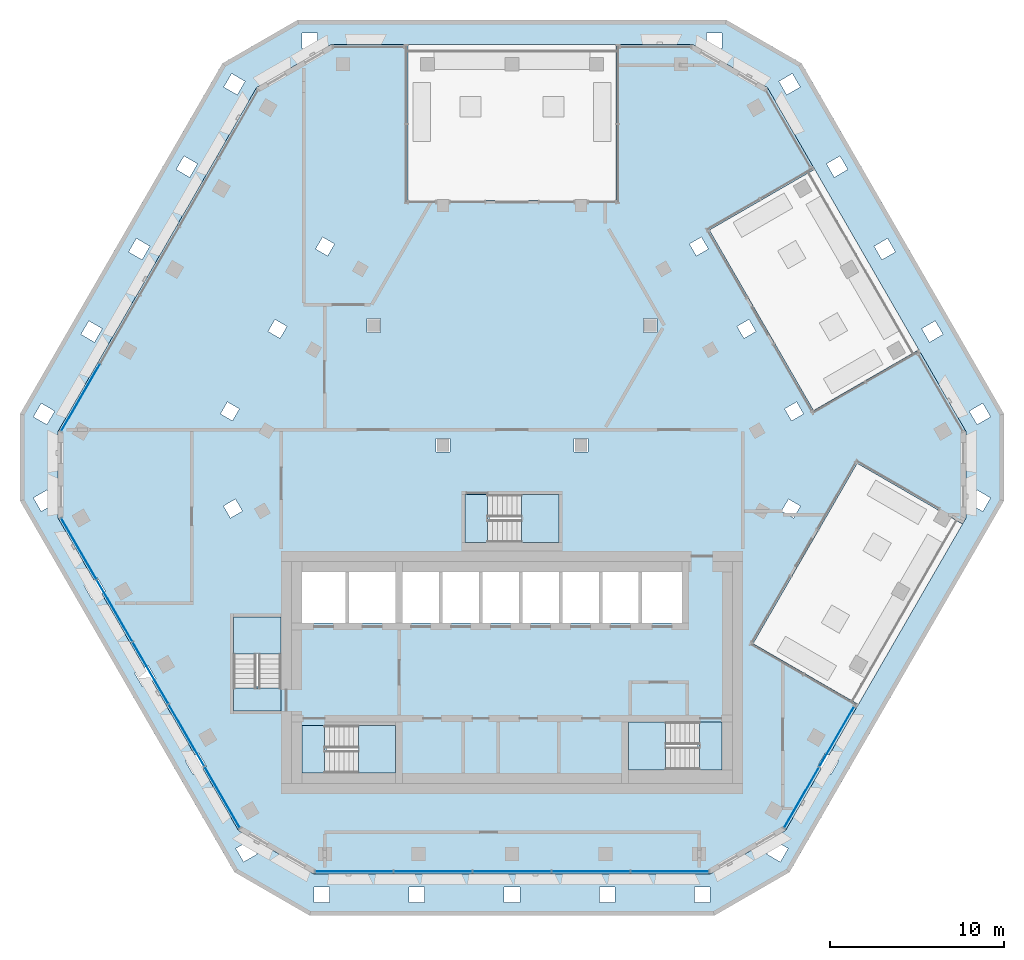
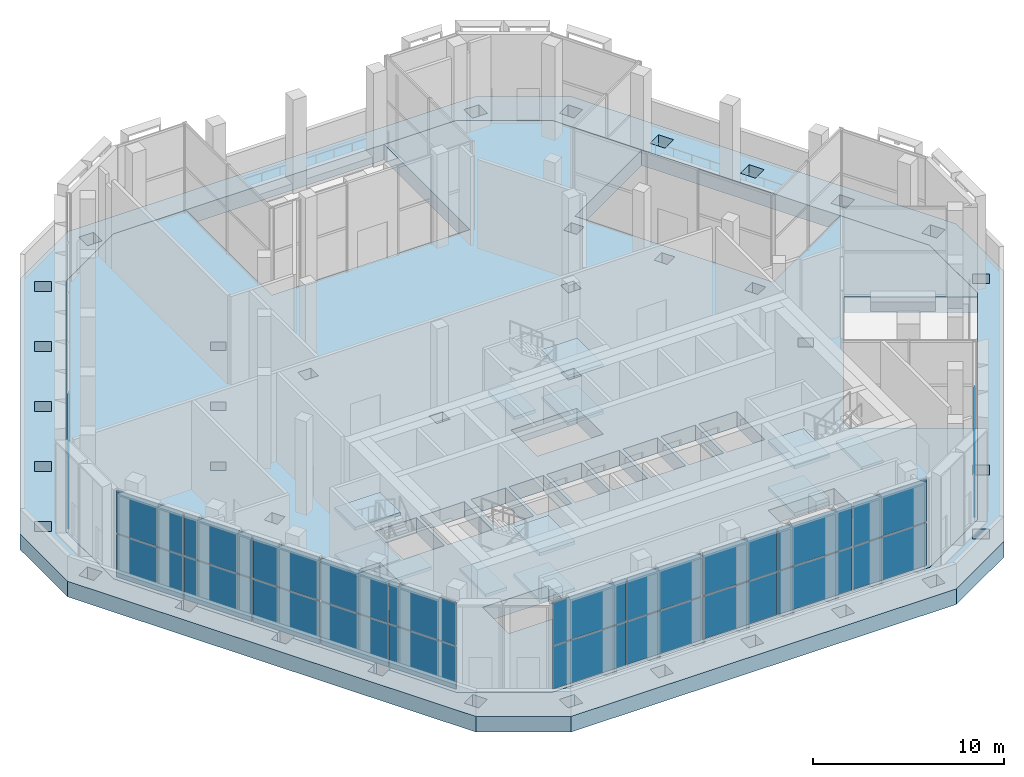
# One storey, part 6 of 23: 25 plates, 14 slabs, 8 elements without a shape of their own.
"""IFC4 building model written with IfcOpenShell, lengths in metres."""

from ifc_helpers import new_model, si_unit, direction, frame, origin, origin_2d, place, context, subcontext, project, spatial, polyline, rectangle, outline, extrude, material, layer, layer_set, type_object, element, aggregate, save


model = new_model("IFC4")

# Units and contexts
model_context = context("Model", 3, precision=1e-05, world=origin(), true_north=direction((0.0, 1.0)))
body_context = subcontext(model_context, "Body", "Model", "MODEL_VIEW")
ifc_project = project(units=[si_unit("LENGTHUNIT", "METRE"), si_unit("AREAUNIT", "SQUARE_METRE"), si_unit("VOLUMEUNIT", "CUBIC_METRE"), si_unit("PLANEANGLEUNIT", "RADIAN"), si_unit("MASSUNIT", "GRAM", prefix="KILO")], contexts=[model_context])

# Site, building, storey
site_placement = place(None, origin())
site = spatial("IfcSite", under=ifc_project, at=site_placement, CompositionType="ELEMENT")
building_placement = place(site_placement, origin())
building = spatial("IfcBuilding", under=site, at=building_placement, Name="Beryl Residences", CompositionType="ELEMENT")
storey_placement = place(building_placement, frame((0.0, 0.0, 157.199951171875)))
storey = spatial("IfcBuildingStorey", under=building, at=storey_placement, Name="L48", CompositionType="ELEMENT", Elevation=157.199951171875)

# Curtain wall, plates
ifc_material_1 = material(Name="Aluminium and clear glass", Category="aluminium")
curtain_wall_type = type_object("IfcCurtainWallType", Name="CW3 sky garden glazing glazed wall", PredefinedType="NOTDEFINED", material=ifc_material_1)
curtain_wall_1_placement = place(storey_placement, origin())
curtain_wall_1 = element("IfcCurtainWall", 1, at=curtain_wall_1_placement, inside=storey, type_object=curtain_wall_type, Name="CW3 L48 NW", PredefinedType="NOTDEFINED")
ifc_material_2 = material(Name="Clear laminated glass", Category="glass")
ifc_layer_1 = layer(ifc_material_2, 0.028076171875)
ifc_layer_set_1 = layer_set([ifc_layer_1], Name="CW3-P glazing panel 28 mm")
plate_type = type_object("IfcPlateType", Name="CW3-P glazing panel 28 mm", PredefinedType="CURTAIN_PANEL", material=ifc_layer_set_1)
plate_1_placement = place(storey_placement, frame((-24.85498046875, 3.850341796875, 0.080078125), z_axis=(0.0, 0.0, 1.0), x_axis=(-0.499996022832, -0.866027699992, 0.0)))
plate_1 = element("IfcPlate", 2, at=plate_1_placement, type_object=plate_type, Name="CW3 panel 5.1", PredefinedType="CURTAIN_PANEL", context=body_context, shape_type="SweptSolid", body=[
    extrude(rectangle(XDim=4.4365234375, YDim=0.028076171875, at=origin_2d()), origin(), (0.0, 0.0, 1.0), 2.72998046875),
])
plate_2_placement = place(storey_placement, frame((-24.85498046875, 3.850341796875, 2.89013671875), z_axis=(0.0, 0.0, 1.0), x_axis=(-0.499996022832, -0.866027699992, 0.0)))
plate_2 = element("IfcPlate", 3, at=plate_2_placement, type_object=plate_type, Name="CW3 panel 5.2", PredefinedType="CURTAIN_PANEL", context=body_context, shape_type="SweptSolid", body=[
    extrude(rectangle(XDim=4.4365234375, YDim=0.028076171875, at=origin_2d()), origin(), (0.0, 0.0, 1.0), 2.72998046875),
])
aggregate(curtain_wall_1, [plate_1, plate_2])

curtain_wall_2_placement = place(storey_placement, origin())
curtain_wall_2 = element("IfcCurtainWall", 4, at=curtain_wall_2_placement, inside=storey, type_object=curtain_wall_type, Name="CW3 L48 SW", PredefinedType="NOTDEFINED")
plate_3_placement = place(storey_placement, frame((-24.957763671875, -4.870361328125, 0.080078125), z_axis=(0.0, 0.0, 1.0), x_axis=(0.500003972941, -0.866023109994, 0.0)))
plate_3 = element("IfcPlate", 5, at=plate_3_placement, type_object=plate_type, Name="CW3 panel 1.1", PredefinedType="CURTAIN_PANEL", context=body_context, shape_type="SweptSolid", body=[
    extrude(rectangle(XDim=4.020751953125, YDim=0.028076171875, at=origin_2d()), origin(), (0.0, 0.0, 1.0), 2.72998046875),
])
plate_4_placement = place(storey_placement, frame((-24.957763671875, -4.870361328125, 2.89013671875), z_axis=(0.0, 0.0, 1.0), x_axis=(0.500003972941, -0.866023109994, 0.0)))
plate_4 = element("IfcPlate", 6, at=plate_4_placement, type_object=plate_type, Name="CW3 panel 1.2", PredefinedType="CURTAIN_PANEL", context=body_context, shape_type="SweptSolid", body=[
    extrude(rectangle(XDim=4.020751953125, YDim=0.028076171875, at=origin_2d()), origin(), (0.0, 0.0, 1.0), 2.72998046875),
])
plate_5_placement = place(storey_placement, frame((-22.8974609375, -8.43896484375, 0.080078125), z_axis=(0.0, 0.0, 1.0), x_axis=(0.500003972941, -0.866023109994, 0.0)))
plate_5 = element("IfcPlate", 7, at=plate_5_placement, type_object=plate_type, Name="CW3 panel 2.1", PredefinedType="CURTAIN_PANEL", context=body_context, shape_type="SweptSolid", body=[
    extrude(rectangle(XDim=4.060791015625, YDim=0.028076171875, at=origin_2d()), origin(), (0.0, 0.0, 1.0), 2.72998046875),
])
plate_6_placement = place(storey_placement, frame((-22.8974609375, -8.43896484375, 2.89013671875), z_axis=(0.0, 0.0, 1.0), x_axis=(0.500003972941, -0.866023109994, 0.0)))
plate_6 = element("IfcPlate", 8, at=plate_6_placement, type_object=plate_type, Name="CW3 panel 2.2", PredefinedType="CURTAIN_PANEL", context=body_context, shape_type="SweptSolid", body=[
    extrude(rectangle(XDim=4.060791015625, YDim=0.028076171875, at=origin_2d()), origin(), (0.0, 0.0, 1.0), 2.72998046875),
])
plate_7_placement = place(storey_placement, frame((-20.826904296875, -12.02490234375, 0.080078125), z_axis=(0.0, 0.0, 1.0), x_axis=(0.500003972941, -0.866023109994, 0.0)))
plate_7 = element("IfcPlate", 9, at=plate_7_placement, type_object=plate_type, Name="CW3 panel 3.1", PredefinedType="CURTAIN_PANEL", context=body_context, shape_type="SweptSolid", body=[
    extrude(rectangle(XDim=4.060791015625, YDim=0.028076171875, at=origin_2d()), origin(), (0.0, 0.0, 1.0), 2.72998046875),
])
plate_8_placement = place(storey_placement, frame((-20.826904296875, -12.02490234375, 2.89013671875), z_axis=(0.0, 0.0, 1.0), x_axis=(0.500003972941, -0.866023109994, 0.0)))
plate_8 = element("IfcPlate", 10, at=plate_8_placement, type_object=plate_type, Name="CW3 panel 3.2", PredefinedType="CURTAIN_PANEL", context=body_context, shape_type="SweptSolid", body=[
    extrude(rectangle(XDim=4.060791015625, YDim=0.028076171875, at=origin_2d()), origin(), (0.0, 0.0, 1.0), 2.72998046875),
])
plate_9_placement = place(storey_placement, frame((-18.756591796875, -15.611083984375, 0.080078125), z_axis=(0.0, 0.0, 1.0), x_axis=(0.500003972941, -0.866023109994, 0.0)))
plate_9 = element("IfcPlate", 11, at=plate_9_placement, type_object=plate_type, Name="CW3 panel 4.1", PredefinedType="CURTAIN_PANEL", context=body_context, shape_type="SweptSolid", body=[
    extrude(rectangle(XDim=4.060791015625, YDim=0.028076171875, at=origin_2d()), origin(), (0.0, 0.0, 1.0), 2.72998046875),
])
plate_10_placement = place(storey_placement, frame((-18.756591796875, -15.611083984375, 2.89013671875), z_axis=(0.0, 0.0, 1.0), x_axis=(0.500003972941, -0.866023109994, 0.0)))
plate_10 = element("IfcPlate", 12, at=plate_10_placement, type_object=plate_type, Name="CW3 panel 4.2", PredefinedType="CURTAIN_PANEL", context=body_context, shape_type="SweptSolid", body=[
    extrude(rectangle(XDim=4.060791015625, YDim=0.028076171875, at=origin_2d()), origin(), (0.0, 0.0, 1.0), 2.72998046875),
])
plate_11_placement = place(storey_placement, frame((-16.6962890625, -19.1796875, 0.080078125), z_axis=(0.0, 0.0, 1.0), x_axis=(0.500003972941, -0.866023109994, 0.0)))
plate_11 = element("IfcPlate", 13, at=plate_11_placement, type_object=plate_type, Name="CW3 panel 5.1", PredefinedType="CURTAIN_PANEL", context=body_context, shape_type="SweptSolid", body=[
    extrude(rectangle(XDim=4.020751953125, YDim=0.028076171875, at=origin_2d()), origin(), (0.0, 0.0, 1.0), 2.72998046875),
])
plate_12_placement = place(storey_placement, frame((-16.6962890625, -19.1796875, 2.89013671875), z_axis=(0.0, 0.0, 1.0), x_axis=(0.500003972941, -0.866023109994, 0.0)))
plate_12 = element("IfcPlate", 14, at=plate_12_placement, type_object=plate_type, Name="CW3 panel 5.2", PredefinedType="CURTAIN_PANEL", context=body_context, shape_type="SweptSolid", body=[
    extrude(rectangle(XDim=4.020751953125, YDim=0.028076171875, at=origin_2d()), origin(), (0.0, 0.0, 1.0), 2.72998046875),
])
aggregate(curtain_wall_2, [plate_3, plate_4, plate_5, plate_6, plate_7, plate_8, plate_9, plate_10, plate_11, plate_12])

curtain_wall_3_placement = place(storey_placement, origin())
curtain_wall_3 = element("IfcCurtainWall", 15, at=curtain_wall_3_placement, inside=storey, type_object=curtain_wall_type, Name="CW3 L48 S", PredefinedType="NOTDEFINED")
plate_13_placement = place(storey_placement, frame((-9.0927734375, -23.449951171875, 0.080078125), z_axis=(0.0, 0.0, 1.0), x_axis=(1.0, 0.0, 0.0)))
plate_13 = element("IfcPlate", 16, at=plate_13_placement, type_object=plate_type, Name="CW3 panel 1.1", PredefinedType="CURTAIN_PANEL", context=body_context, shape_type="SweptSolid", body=[
    extrude(rectangle(XDim=4.436279296875, YDim=0.028076171875, at=origin_2d()), origin(), (0.0, 0.0, 1.0), 2.72998046875),
])
plate_14_placement = place(storey_placement, frame((-9.0927734375, -23.449951171875, 2.89013671875), z_axis=(0.0, 0.0, 1.0), x_axis=(1.0, 0.0, 0.0)))
plate_14 = element("IfcPlate", 17, at=plate_14_placement, type_object=plate_type, Name="CW3 panel 1.2", PredefinedType="CURTAIN_PANEL", context=body_context, shape_type="SweptSolid", body=[
    extrude(rectangle(XDim=4.436279296875, YDim=0.028076171875, at=origin_2d()), origin(), (0.0, 0.0, 1.0), 2.72998046875),
])
plate_15_placement = place(storey_placement, frame((-4.556396484375, -23.449951171875, 0.080078125), z_axis=(0.0, 0.0, 1.0), x_axis=(1.0, 0.0, 0.0)))
plate_15 = element("IfcPlate", 18, at=plate_15_placement, type_object=plate_type, Name="CW3 panel 2.1", PredefinedType="CURTAIN_PANEL", context=body_context, shape_type="SweptSolid", body=[
    extrude(rectangle(XDim=4.476318359375, YDim=0.028076171875, at=origin_2d()), origin(), (0.0, 0.0, 1.0), 2.72998046875),
])
plate_16_placement = place(storey_placement, frame((-4.556396484375, -23.449951171875, 2.89013671875), z_axis=(0.0, 0.0, 1.0), x_axis=(1.0, 0.0, 0.0)))
plate_16 = element("IfcPlate", 19, at=plate_16_placement, type_object=plate_type, Name="CW3 panel 2.2", PredefinedType="CURTAIN_PANEL", context=body_context, shape_type="SweptSolid", body=[
    extrude(rectangle(XDim=4.476318359375, YDim=0.028076171875, at=origin_2d()), origin(), (0.0, 0.0, 1.0), 2.72998046875),
])
plate_17_placement = place(storey_placement, frame((0.0, -23.449951171875, 0.080078125), z_axis=(0.0, 0.0, 1.0), x_axis=(1.0, 0.0, 0.0)))
plate_17 = element("IfcPlate", 20, at=plate_17_placement, type_object=plate_type, Name="CW3 panel 3.1", PredefinedType="CURTAIN_PANEL", context=body_context, shape_type="SweptSolid", body=[
    extrude(rectangle(XDim=4.476318359375, YDim=0.028076171875, at=origin_2d()), origin(), (0.0, 0.0, 1.0), 2.72998046875),
])
plate_18_placement = place(storey_placement, frame((0.0, -23.449951171875, 2.89013671875), z_axis=(0.0, 0.0, 1.0), x_axis=(1.0, 0.0, 0.0)))
plate_18 = element("IfcPlate", 21, at=plate_18_placement, type_object=plate_type, Name="CW3 panel 3.2", PredefinedType="CURTAIN_PANEL", context=body_context, shape_type="SweptSolid", body=[
    extrude(rectangle(XDim=4.476318359375, YDim=0.028076171875, at=origin_2d()), origin(), (0.0, 0.0, 1.0), 2.72998046875),
])
plate_19_placement = place(storey_placement, frame((4.556396484375, -23.449951171875, 0.080078125), z_axis=(0.0, 0.0, 1.0), x_axis=(1.0, 0.0, 0.0)))
plate_19 = element("IfcPlate", 22, at=plate_19_placement, type_object=plate_type, Name="CW3 panel 4.1", PredefinedType="CURTAIN_PANEL", context=body_context, shape_type="SweptSolid", body=[
    extrude(rectangle(XDim=4.476318359375, YDim=0.028076171875, at=origin_2d()), origin(), (0.0, 0.0, 1.0), 2.72998046875),
])
plate_20_placement = place(storey_placement, frame((4.556396484375, -23.449951171875, 2.89013671875), z_axis=(0.0, 0.0, 1.0), x_axis=(1.0, 0.0, 0.0)))
plate_20 = element("IfcPlate", 23, at=plate_20_placement, type_object=plate_type, Name="CW3 panel 4.2", PredefinedType="CURTAIN_PANEL", context=body_context, shape_type="SweptSolid", body=[
    extrude(rectangle(XDim=4.476318359375, YDim=0.028076171875, at=origin_2d()), origin(), (0.0, 0.0, 1.0), 2.72998046875),
])
plate_21_placement = place(storey_placement, frame((9.0927734375, -23.449951171875, 0.080078125), z_axis=(0.0, 0.0, 1.0), x_axis=(1.0, 0.0, 0.0)))
plate_21 = element("IfcPlate", 24, at=plate_21_placement, type_object=plate_type, Name="CW3 panel 5.1", PredefinedType="CURTAIN_PANEL", context=body_context, shape_type="SweptSolid", body=[
    extrude(rectangle(XDim=4.436279296875, YDim=0.028076171875, at=origin_2d()), origin(), (0.0, 0.0, 1.0), 2.72998046875),
])
plate_22_placement = place(storey_placement, frame((9.0927734375, -23.449951171875, 2.89013671875), z_axis=(0.0, 0.0, 1.0), x_axis=(1.0, 0.0, 0.0)))
plate_22 = element("IfcPlate", 25, at=plate_22_placement, type_object=plate_type, Name="CW3 panel 5.2", PredefinedType="CURTAIN_PANEL", context=body_context, shape_type="SweptSolid", body=[
    extrude(rectangle(XDim=4.436279296875, YDim=0.028076171875, at=origin_2d()), origin(), (0.0, 0.0, 1.0), 2.72998046875),
])
aggregate(curtain_wall_3, [plate_13, plate_14, plate_15, plate_16, plate_17, plate_18, plate_19, plate_20, plate_21, plate_22])

curtain_wall_4_placement = place(storey_placement, origin())
curtain_wall_4 = element("IfcCurtainWall", 26, at=curtain_wall_4_placement, inside=storey, type_object=curtain_wall_type, Name="CW3 L48 SE", PredefinedType="NOTDEFINED")
plate_23_placement = place(storey_placement, frame((16.683349609375, -19.202392578125, 0.080078125), z_axis=(0.0, 0.0, 1.0), x_axis=(0.500071793615, 0.865983949754, 0.0)))
plate_23 = element("IfcPlate", 27, at=plate_23_placement, type_object=plate_type, Name="CW3 panel 1.1", PredefinedType="CURTAIN_PANEL", context=body_context, shape_type="SweptSolid", body=[
    extrude(rectangle(XDim=3.968505859375, YDim=0.028076171875, at=origin_2d()), origin(), (0.0, 0.0, 1.0), 2.72998046875),
])
plate_24_placement = place(storey_placement, frame((16.683349609375, -19.202392578125, 2.89013671875), z_axis=(0.0, 0.0, 1.0), x_axis=(0.500071793615, 0.865983949754, 0.0)))
plate_24 = element("IfcPlate", 28, at=plate_24_placement, type_object=plate_type, Name="CW3 panel 1.2", PredefinedType="CURTAIN_PANEL", context=body_context, shape_type="SweptSolid", body=[
    extrude(rectangle(XDim=3.968505859375, YDim=0.028076171875, at=origin_2d()), origin(), (0.0, 0.0, 1.0), 2.72998046875),
])
plate_25_placement = place(storey_placement, frame((18.707763671875, -15.696533203125, 0.080078125), z_axis=(0.0, 0.0, 1.0), x_axis=(0.500071793615, 0.865983949754, 0.0)))
plate_25 = element("IfcPlate", 29, at=plate_25_placement, type_object=plate_type, Name="CW3 panel 2.1", PredefinedType="CURTAIN_PANEL", context=body_context, shape_type="SweptSolid", body=[
    extrude(rectangle(XDim=3.968505859375, YDim=0.028076171875, at=origin_2d()), origin(), (0.0, 0.0, 1.0), 2.72998046875),
])
aggregate(curtain_wall_4, [plate_23, plate_24, plate_25])

# Slabs
ifc_material_3 = material(Name="Concrete C60/75", Category="concrete")
ifc_layer_2 = layer(ifc_material_3, 1.0)
ifc_layer_set_2 = layer_set([ifc_layer_2], Name="SL11 roof strip slab 1000 mm C60/75")
slab_type_1 = type_object("IfcSlabType", Name="SL11 roof strip slab 1000 mm C60/75", PredefinedType="ROOF", material=ifc_layer_set_2)
slab_1_placement = place(storey_placement, frame((0.0, 0.0, -1.0)))
element("IfcSlab", 30, at=slab_1_placement, inside=storey, type_object=slab_type_1, Name="roof L48 1 1", PredefinedType="ROOF", context=body_context, shape_type="SweptSolid", body=[
    extrude(outline(polyline([(28.347900390625, -2.10009765625), (15.991943359375, -23.5), (11.662109375, -26.0), (-11.662109375, -26.0), (-15.991943359375, -23.5), (-28.347900390625, -2.10009765625), (-28.347900390625, 2.89990234375), (-16.68505859375, 23.10009765625), (-12.35498046875, 25.60009765625), (12.35498046875, 25.60009765625), (16.68505859375, 23.10009765625), (28.347900390625, 2.89990234375), (28.347900390625, -2.10009765625)]), holes=[polyline([(27.1279296875, 3.514892578125), (26.347900390625, 3.06494140625), (26.798095703125, 2.284912109375), (27.577880859375, 2.735107421875), (27.1279296875, 3.514892578125)]), polyline([(27.575927734375, -1.93603515625), (26.7958984375, -1.486083984375), (26.345947265625, -2.26611328125), (27.1259765625, -2.716064453125), (27.575927734375, -1.93603515625)]), polyline([(10.39208984375, 24.200927734375), (-10.39208984375, 24.200927734375), (-14.722412109375, 21.700927734375), (-26.15478515625, 1.900390625), (-26.155029296875, -3.10009765625), (-24.099853515625, -6.65966796875), (-24.662109375, -6.98388671875), (-24.2119140625, -7.763916015625), (-23.649658203125, -7.439453125), (-21.18408203125, -11.709716796875), (-21.74609375, -12.033935546875), (-21.2958984375, -12.81396484375), (-20.733642578125, -12.489501953125), (-18.268310546875, -16.759521484375), (-18.8310546875, -17.083984375), (-18.381103515625, -17.864013671875), (-17.818115234375, -17.539306640625), (-15.761962890625, -21.1005859375), (-11.431396484375, -23.600830078125), (11.430908203125, -23.60107421875), (15.761474609375, -21.100830078125), (17.81689453125, -17.541259765625), (18.3798828125, -17.865966796875), (18.830078125, -17.0859375), (18.267333984375, -16.76123046875), (26.15478515625, -3.1005859375), (26.155029296875, 1.89990234375), (14.722900390625, 21.700439453125), (10.39208984375, 24.200927734375)]), polyline([(23.60498046875, 7.81494140625), (24.054931640625, 7.034912109375), (24.8349609375, 7.485107421875), (24.385009765625, 8.264892578125), (23.60498046875, 7.81494140625)]), polyline([(21.64306640625, 13.014892578125), (20.863037109375, 12.56494140625), (21.31298828125, 11.784912109375), (22.093017578125, 12.235107421875), (21.64306640625, 13.014892578125)]), polyline([(18.89990234375, 17.764892578125), (18.1201171875, 17.31494140625), (18.570068359375, 16.534912109375), (19.35009765625, 16.985107421875), (18.89990234375, 17.764892578125)]), polyline([(16.60791015625, 21.735107421875), (16.157958984375, 22.514892578125), (15.3779296875, 22.06494140625), (15.827880859375, 21.284912109375), (16.60791015625, 21.735107421875)]), polyline([(15.9140625, -22.135009765625), (15.134033203125, -21.68505859375), (14.68408203125, -22.465087890625), (15.464111328125, -22.9150390625), (15.9140625, -22.135009765625)]), polyline([(12.112060546875, 24.85009765625), (11.2119140625, 24.85009765625), (11.2119140625, 23.949951171875), (12.112060546875, 23.949951171875), (12.112060546875, 24.85009765625)]), polyline([(11.4208984375, -24.35009765625), (10.52099609375, -24.35009765625), (10.52099609375, -25.25), (11.4208984375, -25.25), (11.4208984375, -24.35009765625)]), polyline([(5.93603515625, -25.25), (5.93603515625, -24.35009765625), (5.035888671875, -24.35009765625), (5.035888671875, -25.25), (5.93603515625, -25.25)]), polyline([(0.450927734375, -25.25), (0.450927734375, -24.35009765625), (-0.448974609375, -24.35009765625), (-0.448974609375, -25.25), (0.450927734375, -25.25)]), polyline([(-5.033935546875, -24.35009765625), (-5.93408203125, -24.35009765625), (-5.93408203125, -25.25), (-5.033935546875, -25.25), (-5.033935546875, -24.35009765625)]), polyline([(-10.51904296875, -24.35009765625), (-11.4189453125, -24.35009765625), (-11.4189453125, -25.25), (-10.51904296875, -25.25), (-10.51904296875, -24.35009765625)]), polyline([(-12.112060546875, 24.85009765625), (-12.112060546875, 23.949951171875), (-11.2119140625, 23.949951171875), (-11.2119140625, 24.85009765625), (-12.112060546875, 24.85009765625)]), polyline([(-15.465087890625, -22.9140625), (-14.68505859375, -22.464111328125), (-15.135009765625, -21.68408203125), (-15.9150390625, -22.134033203125), (-15.465087890625, -22.9140625)]), polyline([(-16.60791015625, 21.735107421875), (-15.827880859375, 21.284912109375), (-15.3779296875, 22.06494140625), (-16.157958984375, 22.514892578125), (-16.60791015625, 21.735107421875)]), polyline([(-18.89990234375, 17.764892578125), (-19.35009765625, 16.985107421875), (-18.570068359375, 16.534912109375), (-18.1201171875, 17.31494140625), (-18.89990234375, 17.764892578125)]), polyline([(-22.093017578125, 12.235107421875), (-21.31298828125, 11.784912109375), (-20.863037109375, 12.56494140625), (-21.64306640625, 13.014892578125), (-22.093017578125, 12.235107421875)]), polyline([(-24.8349609375, 7.485107421875), (-24.054931640625, 7.034912109375), (-23.60498046875, 7.81494140625), (-24.385009765625, 8.264892578125), (-24.8349609375, 7.485107421875)]), polyline([(-27.576904296875, -1.93505859375), (-27.126953125, -2.715087890625), (-26.346923828125, -2.264892578125), (-26.797119140625, -1.485107421875), (-27.576904296875, -1.93505859375)]), polyline([(-26.798095703125, 2.284912109375), (-26.347900390625, 3.06494140625), (-27.1279296875, 3.514892578125), (-27.577880859375, 2.735107421875), (-26.798095703125, 2.284912109375)])]), origin(), (0.0, 0.0, 1.0), 1.0),
])
ifc_material_4 = material(Name="Concrete C60/75", Category="concrete")
ifc_layer_3 = layer(ifc_material_4, 1.0)
ifc_layer_set_3 = layer_set([ifc_layer_3], Name="SL9 transfer plate 1000 mm C60/75")
slab_type_2 = type_object("IfcSlabType", Name="SL9 transfer plate 1000 mm C60/75", PredefinedType="FLOOR", material=ifc_layer_set_3)
slab_2_placement = place(storey_placement, frame((0.0, 0.0, -1.0)))
element("IfcSlab", 31, at=slab_2_placement, inside=storey, type_object=slab_type_2, Name="L48 slab 1", PredefinedType="FLOOR", context=body_context, shape_type="SweptSolid", body=[
    extrude(outline(polyline([(17.43798828125, 16.99609375), (11.3759765625, 13.49609375), (17.3759765625, 3.10400390625), (23.43798828125, 6.60400390625), (26.154052734375, 1.89990234375), (26.154052734375, -3.10009765625), (23.00634765625, -8.551513671875), (25.953857421875, -3.446533203125), (19.89111328125, 0.053955078125), (13.89501953125, -10.33203125), (19.957275390625, -13.832275390625), (18.266357421875, -16.7607421875), (18.050048828125, -16.635986328125), (17.60009765625, -17.416015625), (17.816162109375, -17.540771484375), (15.760986328125, -21.10009765625), (11.430908203125, -23.60009765625), (-11.430908203125, -23.60009765625), (-15.760986328125, -21.10009765625), (-17.817138671875, -17.538818359375), (-17.60107421875, -17.4140625), (-18.051025390625, -16.634033203125), (-18.267578125, -16.7587890625), (-20.73291015625, -12.489013671875), (-20.51611328125, -12.364013671875), (-20.966064453125, -11.583984375), (-21.18310546875, -11.709228515625), (-23.648681640625, -7.43896484375), (-23.431884765625, -7.31396484375), (-23.882080078125, -6.533935546875), (-24.09912109375, -6.6591796875), (-26.154052734375, -3.10009765625), (-26.154052734375, 1.89990234375), (-14.721923828125, 21.699951171875), (-10.39208984375, 24.199951171875), (-6.0, 24.199951171875), (-6.0, 15.199951171875), (6.0, 15.199951171875), (6.0, 24.199951171875), (10.39208984375, 24.199951171875), (14.721923828125, 21.699951171875), (17.43798828125, 16.99609375)]), holes=[polyline([(16.39892578125, 3.595947265625), (15.70703125, 3.196044921875), (16.10693359375, 2.50390625), (16.799072265625, 2.904052734375), (16.39892578125, 3.595947265625)]), polyline([(16.6240234375, -2.405029296875), (15.931884765625, -2.0048828125), (15.531982421875, -2.697021484375), (16.22412109375, -3.096923828125), (16.6240234375, -2.405029296875)]), polyline([(14.055908203125, 7.654052734375), (13.656005859375, 8.345947265625), (12.964111328125, 7.946044921875), (13.364013671875, 7.25390625), (14.055908203125, 7.654052734375)]), polyline([(10.9140625, 13.095947265625), (10.221923828125, 12.696044921875), (10.6220703125, 12.00390625), (11.31396484375, 12.404052734375), (10.9140625, 13.095947265625)]), polyline([(6.699951171875, -14.85009765625), (6.699951171875, -17.60009765625), (10.699951171875, -17.60009765625), (10.699951171875, -14.85009765625), (6.699951171875, -14.85009765625)]), polyline([(7.5, -6.199951171875), (7.5, -9.14990234375), (9.800048828125, -9.14990234375), (9.800048828125, -6.199951171875), (7.5, -6.199951171875)]), polyline([(7.56689453125, 7.60009765625), (8.366943359375, 7.60009765625), (8.366943359375, 8.39990234375), (7.56689453125, 8.39990234375), (7.56689453125, 7.60009765625)]), polyline([(5.199951171875, -6.199951171875), (5.199951171875, -9.14990234375), (7.300048828125, -9.14990234375), (7.300048828125, -6.199951171875), (5.199951171875, -6.199951171875)]), polyline([(2.89990234375, -6.199951171875), (2.89990234375, -9.14990234375), (5.0, -9.14990234375), (5.0, -6.199951171875), (2.89990234375, -6.199951171875)]), polyline([(3.583984375, 0.699951171875), (4.384033203125, 0.699951171875), (4.384033203125, 1.5), (3.583984375, 1.5), (3.583984375, 0.699951171875)]), polyline([(0.60009765625, -6.199951171875), (0.60009765625, -9.14990234375), (2.699951171875, -9.14990234375), (2.699951171875, -6.199951171875), (0.60009765625, -6.199951171875)]), polyline([(2.699951171875, -4.5), (2.699951171875, -1.75), (-1.300048828125, -1.75), (-1.300048828125, -4.5), (2.699951171875, -4.5)]), polyline([(0.39990234375, -9.14990234375), (0.39990234375, -6.199951171875), (-1.699951171875, -6.199951171875), (-1.699951171875, -9.14990234375), (0.39990234375, -9.14990234375)]), polyline([(-4.0, -9.14990234375), (-1.89990234375, -9.14990234375), (-1.89990234375, -6.199951171875), (-4.0, -6.199951171875), (-4.0, -9.14990234375)]), polyline([(-4.384033203125, 0.699951171875), (-3.583984375, 0.699951171875), (-3.583984375, 1.5), (-4.384033203125, 1.5), (-4.384033203125, 0.699951171875)]), polyline([(-6.300048828125, -6.199951171875), (-6.300048828125, -9.14990234375), (-4.199951171875, -9.14990234375), (-4.199951171875, -6.199951171875), (-6.300048828125, -6.199951171875)]), polyline([(-6.699951171875, -9.14990234375), (-6.699951171875, -6.199951171875), (-9.39990234375, -6.199951171875), (-9.39990234375, -9.14990234375), (-6.699951171875, -9.14990234375)]), polyline([(-6.699951171875, -15.050048828125), (-10.699951171875, -15.050048828125), (-10.699951171875, -17.800048828125), (-6.699951171875, -17.800048828125), (-6.699951171875, -15.050048828125)]), polyline([(-7.56689453125, 8.39990234375), (-8.366943359375, 8.39990234375), (-8.366943359375, 7.60009765625), (-7.56689453125, 7.60009765625), (-7.56689453125, 8.39990234375)]), polyline([(-12.10009765625, -6.199951171875), (-12.10009765625, -9.14990234375), (-9.60009765625, -9.14990234375), (-9.60009765625, -6.199951171875), (-12.10009765625, -6.199951171875)]), polyline([(-11.31396484375, 12.404052734375), (-10.6220703125, 12.00390625), (-10.221923828125, 12.696044921875), (-10.9140625, 13.095947265625), (-11.31396484375, 12.404052734375)]), polyline([(-13.364013671875, 7.25390625), (-12.964111328125, 7.946044921875), (-13.656005859375, 8.345947265625), (-14.055908203125, 7.654052734375), (-13.364013671875, 7.25390625)]), polyline([(-13.300048828125, -12.800048828125), (-13.300048828125, -8.800048828125), (-16.050048828125, -8.800048828125), (-16.050048828125, -12.800048828125), (-13.300048828125, -12.800048828125)]), polyline([(-16.22509765625, -3.094970703125), (-15.532958984375, -2.695068359375), (-15.93310546875, -2.0029296875), (-16.625, -2.403076171875), (-16.22509765625, -3.094970703125)]), polyline([(-16.799072265625, 2.904052734375), (-16.10693359375, 2.50390625), (-15.70703125, 3.196044921875), (-16.39892578125, 3.595947265625), (-16.799072265625, 2.904052734375)])]), origin(), (0.0, 0.0, 1.0), 1.0),
])

# Stair, slabs
ifc_material_5 = material(Name="Concrete C40/50", Category="concrete")
stair_type = type_object("IfcStairType", Name="ST1 protected exit stair, half-turn, 1300 mm flights", PredefinedType="HALF_TURN_STAIR", material=ifc_material_5)
stair_1_placement = place(storey_placement, origin())
stair_1 = element("IfcStair", 32, at=stair_1_placement, inside=storey, type_object=stair_type, Name="L48 PROTECTED EXIT STAIR ST-1", PredefinedType="HALF_TURN_STAIR")
ifc_material_6 = material(Name="Concrete C40/50", Category="concrete")
ifc_layer_4 = layer(ifc_material_6, 0.199951171875)
ifc_layer_set_4 = layer_set([ifc_layer_4], Name="SLD1 stair landing 200 mm")
slab_type_3 = type_object("IfcSlabType", Name="SLD1 stair landing 200 mm", PredefinedType="LANDING", material=ifc_layer_set_4)
slab_3_placement = place(storey_placement, frame((0.0, 0.0, 1.300048828125)))
slab_3 = element("IfcSlab", 33, at=slab_3_placement, type_object=slab_type_3, Name="ST-1 landing 1", PredefinedType="LANDING", context=body_context, shape_type="SweptSolid", body=[
    extrude(outline(polyline([(-8.840087890625, -17.800048828125), (-6.699951171875, -17.800048828125), (-6.699951171875, -15.050048828125), (-8.840087890625, -15.050048828125), (-8.840087890625, -17.800048828125)])), origin(), (0.0, 0.0, 1.0), 0.199951171875),
])
slab_4_placement = place(storey_placement, frame((0.0, 0.0, 2.800048828125)))
slab_4 = element("IfcSlab", 34, at=slab_4_placement, type_object=slab_type_3, Name="ST-1 landing 2", PredefinedType="LANDING", context=body_context, shape_type="SweptSolid", body=[
    extrude(outline(polyline([(-12.10009765625, -17.800048828125), (-10.800048828125, -17.800048828125), (-10.800048828125, -15.050048828125), (-12.10009765625, -15.050048828125), (-12.10009765625, -17.800048828125)])), origin(), (0.0, 0.0, 1.0), 0.199951171875),
])
slab_5_placement = place(storey_placement, frame((0.0, 0.0, 4.300048828125)))
slab_5 = element("IfcSlab", 35, at=slab_5_placement, type_object=slab_type_3, Name="ST-1 landing 3", PredefinedType="LANDING", context=body_context, shape_type="SweptSolid", body=[
    extrude(outline(polyline([(-8.840087890625, -17.800048828125), (-6.699951171875, -17.800048828125), (-6.699951171875, -15.050048828125), (-8.840087890625, -15.050048828125), (-8.840087890625, -17.800048828125)])), origin(), (0.0, 0.0, 1.0), 0.199951171875),
])
aggregate(stair_1, [slab_3, slab_4, slab_5])

stair_2_placement = place(storey_placement, origin())
stair_2 = element("IfcStair", 36, at=stair_2_placement, inside=storey, type_object=stair_type, Name="L48 PROTECTED EXIT STAIR ST-2", PredefinedType="HALF_TURN_STAIR")
slab_6_placement = place(storey_placement, frame((0.0, 0.0, 1.300048828125)))
slab_6 = element("IfcSlab", 37, at=slab_6_placement, type_object=slab_type_3, Name="ST-2 landing 1", PredefinedType="LANDING", context=body_context, shape_type="SweptSolid", body=[
    extrude(outline(polyline([(-13.300048828125, -10.93994140625), (-13.300048828125, -8.800048828125), (-16.050048828125, -8.800048828125), (-16.050048828125, -10.93994140625), (-13.300048828125, -10.93994140625)])), origin(), (0.0, 0.0, 1.0), 0.199951171875),
])
slab_7_placement = place(storey_placement, frame((0.0, 0.0, 2.800048828125)))
slab_7 = element("IfcSlab", 38, at=slab_7_placement, type_object=slab_type_3, Name="ST-2 landing 2", PredefinedType="LANDING", context=body_context, shape_type="SweptSolid", body=[
    extrude(outline(polyline([(-13.300048828125, -14.199951171875), (-13.300048828125, -12.89990234375), (-16.050048828125, -12.89990234375), (-16.050048828125, -14.199951171875), (-13.300048828125, -14.199951171875)])), origin(), (0.0, 0.0, 1.0), 0.199951171875),
])
slab_8_placement = place(storey_placement, frame((0.0, 0.0, 4.300048828125)))
slab_8 = element("IfcSlab", 39, at=slab_8_placement, type_object=slab_type_3, Name="ST-2 landing 3", PredefinedType="LANDING", context=body_context, shape_type="SweptSolid", body=[
    extrude(outline(polyline([(-13.300048828125, -10.93994140625), (-13.300048828125, -8.800048828125), (-16.050048828125, -8.800048828125), (-16.050048828125, -10.93994140625), (-13.300048828125, -10.93994140625)])), origin(), (0.0, 0.0, 1.0), 0.199951171875),
])
aggregate(stair_2, [slab_6, slab_7, slab_8])

stair_3_placement = place(storey_placement, origin())
stair_3 = element("IfcStair", 40, at=stair_3_placement, inside=storey, type_object=stair_type, Name="L48 PROTECTED EXIT STAIR ST-3", PredefinedType="HALF_TURN_STAIR")
slab_9_placement = place(storey_placement, frame((0.0, 0.0, 1.300048828125)))
slab_9 = element("IfcSlab", 41, at=slab_9_placement, type_object=slab_type_3, Name="ST-3 landing 1", PredefinedType="LANDING", context=body_context, shape_type="SweptSolid", body=[
    extrude(outline(polyline([(8.840087890625, -14.85009765625), (6.699951171875, -14.85009765625), (6.699951171875, -17.60009765625), (8.840087890625, -17.60009765625), (8.840087890625, -14.85009765625)])), origin(), (0.0, 0.0, 1.0), 0.199951171875),
])
slab_10_placement = place(storey_placement, frame((0.0, 0.0, 2.800048828125)))
slab_10 = element("IfcSlab", 42, at=slab_10_placement, type_object=slab_type_3, Name="ST-3 landing 2", PredefinedType="LANDING", context=body_context, shape_type="SweptSolid", body=[
    extrude(outline(polyline([(12.10009765625, -14.85009765625), (10.800048828125, -14.85009765625), (10.800048828125, -17.60009765625), (12.10009765625, -17.60009765625), (12.10009765625, -14.85009765625)])), origin(), (0.0, 0.0, 1.0), 0.199951171875),
])
slab_11_placement = place(storey_placement, frame((0.0, 0.0, 4.300048828125)))
slab_11 = element("IfcSlab", 43, at=slab_11_placement, type_object=slab_type_3, Name="ST-3 landing 3", PredefinedType="LANDING", context=body_context, shape_type="SweptSolid", body=[
    extrude(outline(polyline([(8.840087890625, -14.85009765625), (6.699951171875, -14.85009765625), (6.699951171875, -17.60009765625), (8.840087890625, -17.60009765625), (8.840087890625, -14.85009765625)])), origin(), (0.0, 0.0, 1.0), 0.199951171875),
])
aggregate(stair_3, [slab_9, slab_10, slab_11])

stair_4_placement = place(storey_placement, origin())
stair_4 = element("IfcStair", 44, at=stair_4_placement, inside=storey, type_object=stair_type, Name="L48 PROTECTED EXIT STAIR ST-4", PredefinedType="HALF_TURN_STAIR")
slab_12_placement = place(storey_placement, frame((0.0, 0.0, 1.300048828125)))
slab_12 = element("IfcSlab", 45, at=slab_12_placement, type_object=slab_type_3, Name="ST-4 landing 1", PredefinedType="LANDING", context=body_context, shape_type="SweptSolid", body=[
    extrude(outline(polyline([(0.56005859375, -4.5), (2.699951171875, -4.5), (2.699951171875, -1.75), (0.56005859375, -1.75), (0.56005859375, -4.5)])), origin(), (0.0, 0.0, 1.0), 0.199951171875),
])
slab_13_placement = place(storey_placement, frame((0.0, 0.0, 2.800048828125)))
slab_13 = element("IfcSlab", 46, at=slab_13_placement, type_object=slab_type_3, Name="ST-4 landing 2", PredefinedType="LANDING", context=body_context, shape_type="SweptSolid", body=[
    extrude(outline(polyline([(-2.699951171875, -4.5), (-1.39990234375, -4.5), (-1.39990234375, -1.75), (-2.699951171875, -1.75), (-2.699951171875, -4.5)])), origin(), (0.0, 0.0, 1.0), 0.199951171875),
])
slab_14_placement = place(storey_placement, frame((0.0, 0.0, 4.300048828125)))
slab_14 = element("IfcSlab", 47, at=slab_14_placement, type_object=slab_type_3, Name="ST-4 landing 3", PredefinedType="LANDING", context=body_context, shape_type="SweptSolid", body=[
    extrude(outline(polyline([(0.56005859375, -4.5), (2.699951171875, -4.5), (2.699951171875, -1.75), (0.56005859375, -1.75), (0.56005859375, -4.5)])), origin(), (0.0, 0.0, 1.0), 0.199951171875),
])
aggregate(stair_4, [slab_12, slab_13, slab_14])

save(model, "model.ifc")
